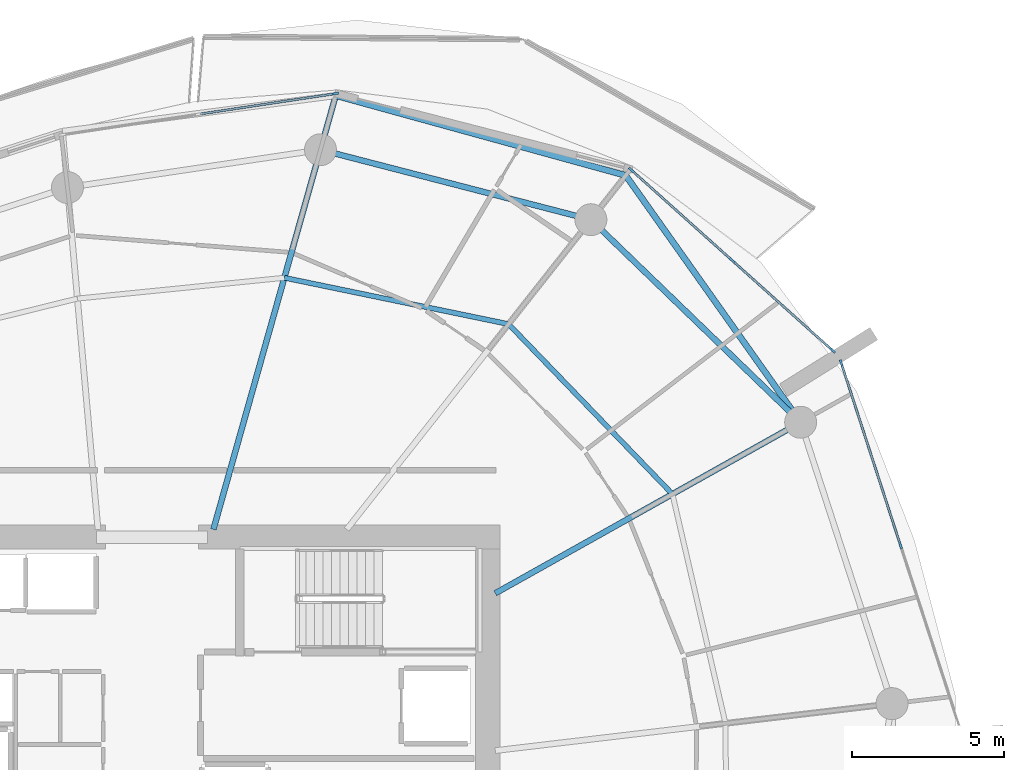
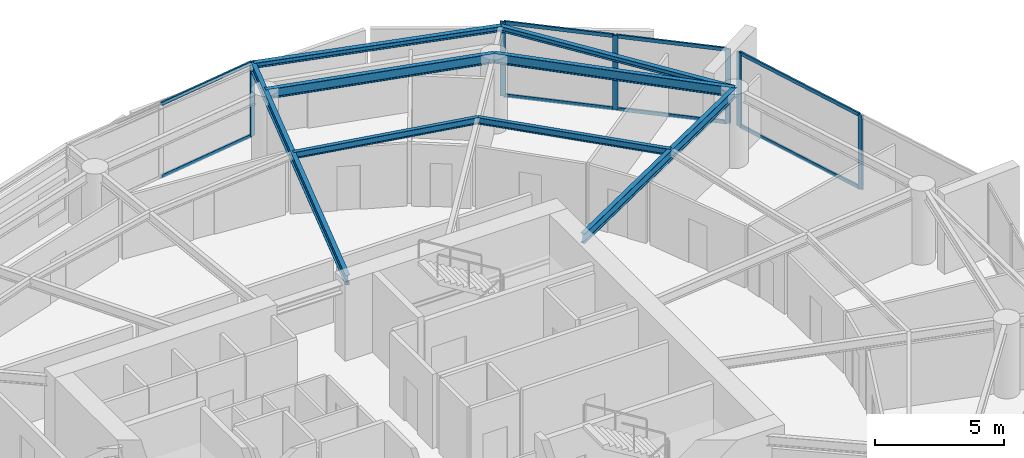
# One storey, part 9 of 20: 14 members, 8 beams, 3 elements without a shape of their own.
"""IFC4 building model written with IfcOpenShell, lengths in metres."""

from ifc_helpers import new_model, si_unit, direction, frame, origin, origin_2d, place, context, subcontext, project, spatial, rectangle, i_section, extrude, material, layer, layer_set, material_profile, profile_set, type_object, element, aggregate, save


model = new_model("IFC4")

# Units and contexts
model_context = context("Model", 3, precision=1e-05, world=origin(), true_north=direction((0.0, 1.0)))
body_context = subcontext(model_context, "Body", "Model", "MODEL_VIEW")
ifc_project = project(units=[si_unit("LENGTHUNIT", "METRE"), si_unit("AREAUNIT", "SQUARE_METRE"), si_unit("VOLUMEUNIT", "CUBIC_METRE"), si_unit("PLANEANGLEUNIT", "RADIAN"), si_unit("MASSUNIT", "GRAM", prefix="KILO")], contexts=[model_context])

# Site, building, storey
site_placement = place(None, origin())
site = spatial("IfcSite", under=ifc_project, at=site_placement, CompositionType="ELEMENT")
building_placement = place(site_placement, origin())
building = spatial("IfcBuilding", under=site, at=building_placement, Name="Kazma Halo Residences", CompositionType="ELEMENT")
storey_placement = place(building_placement, frame((0.0, 0.0, 135.300048828125)))
storey = spatial("IfcBuildingStorey", under=building, at=storey_placement, Name="L33", CompositionType="ELEMENT", Elevation=135.300048828125)

# Beams
ifc_material_1 = material(Name="Steel S355", Category="steel")
ifc_material_profile_1 = material_profile(ifc_material_1, i_section(OverallWidth=0.201904296875, OverallDepth=0.2470703125, WebThickness=0.00732421875, FlangeThickness=0.010986328125, FilletRadius=0.011962890625, at=origin_2d()), Name="W250x49.1")
ifc_profile_set_1 = profile_set([ifc_material_profile_1], Name="Steel S355")
beam_type_1 = type_object("IfcBeamType", Name="BM-BAL-CANT", PredefinedType="BEAM", material=ifc_profile_set_1)
beam_1_placement = place(storey_placement, frame((69.730224609375, 54.16943359375, 3.37646484375), z_axis=(-0.578203432081, 0.81589263456, 0.0), x_axis=(-0.81589263456, -0.578203432081, 0.0)))
element("IfcBeam", 1, at=beam_1_placement, inside=storey, type_object=beam_type_1, Name="L33 wave-balcony lead tie beam 01", PredefinedType="BEAM", context=body_context, shape_type="SweptSolid", body=[
    extrude(i_section(OverallWidth=0.201904296875, OverallDepth=0.2470703125, WebThickness=0.00732421875, FlangeThickness=0.010986328125, FilletRadius=0.011962890625, at=origin_2d()), origin(), (0.0, 0.0, 1.0), 9.9365234375),
])
beam_2_placement = place(storey_placement, frame((63.98486328125, 62.276611328125, 3.37646484375), z_axis=(-0.964045237638, 0.265738179019, 0.0), x_axis=(-0.265738179019, -0.964045237638, 0.0)))
element("IfcBeam", 2, at=beam_2_placement, inside=storey, type_object=beam_type_1, Name="L33 wave-balcony tie beam 02", PredefinedType="BEAM", context=body_context, shape_type="SweptSolid", body=[
    extrude(i_section(OverallWidth=0.201904296875, OverallDepth=0.2470703125, WebThickness=0.00732421875, FlangeThickness=0.010986328125, FilletRadius=0.011962890625, at=origin_2d()), origin(), (0.0, 0.0, 1.0), 9.880859375),
])
ifc_material_profile_2 = material_profile(ifc_material_1, i_section(OverallWidth=0.18994140625, OverallDepth=0.45703125, WebThickness=0.009033203125, FlangeThickness=0.014404296875, FilletRadius=0.01611328125, at=origin_2d()), Name="W460x74")
ifc_profile_set_2 = profile_set([ifc_material_profile_2], Name="Steel S355")
beam_type_2 = type_object("IfcBeamType", Name="BM-RAD-W460", PredefinedType="BEAM", material=ifc_profile_set_2)
beam_3_placement = place(storey_placement, frame((59.699951171875, 48.55224609375, 3.271484375), z_axis=(0.872497324456, 0.488618889132, 0.0), x_axis=(-0.488618889132, 0.872497324456, 0.0)))
element("IfcBeam", 3, at=beam_3_placement, inside=storey, type_object=beam_type_2, Name="L33 radial floor beam 01", PredefinedType="BEAM", context=body_context, shape_type="SweptSolid", body=[
    extrude(i_section(OverallWidth=0.18994140625, OverallDepth=0.45703125, WebThickness=0.009033203125, FlangeThickness=0.014404296875, FilletRadius=0.01611328125, at=origin_2d()), origin(), (0.0, 0.0, 1.0), 11.49609375),
])
beam_4_placement = place(storey_placement, frame((50.439697265625, 50.64990234375, 3.271484375), z_axis=(0.271435886816, 0.962456523355, 0.0), x_axis=(-0.962456523355, 0.271435886816, 0.0)))
element("IfcBeam", 4, at=beam_4_placement, inside=storey, type_object=beam_type_2, Name="L33 radial floor beam 03", PredefinedType="BEAM", context=body_context, shape_type="SweptSolid", body=[
    extrude(i_section(OverallWidth=0.18994140625, OverallDepth=0.45703125, WebThickness=0.009033203125, FlangeThickness=0.014404296875, FilletRadius=0.01611328125, at=origin_2d()), origin(), (0.0, 0.0, 1.0), 14.808349609375),
])
ifc_material_profile_3 = material_profile(ifc_material_1, i_section(OverallWidth=0.1650390625, OverallDepth=0.31005859375, WebThickness=0.005859375, FlangeThickness=0.009765625, FilletRadius=0.011962890625, at=origin_2d()), Name="W310x38.7")
ifc_profile_set_3 = profile_set([ifc_material_profile_3], Name="Steel S355")
beam_type_3 = type_object("IfcBeamType", Name="BM-SEC-W310B", PredefinedType="JOIST", material=ifc_profile_set_3)
beam_5_placement = place(storey_placement, frame((65.517578125, 51.810302734375, 3.344970703125), z_axis=(-0.694049338985, 0.719927437354, 0.0), x_axis=(-0.719927437354, -0.694049338985, 0.0)))
element("IfcBeam", 5, at=beam_5_placement, inside=storey, type_object=beam_type_3, Name="L33 circumferential floor joist 01", PredefinedType="JOIST", context=body_context, shape_type="SweptSolid", body=[
    extrude(i_section(OverallWidth=0.1650390625, OverallDepth=0.31005859375, WebThickness=0.005859375, FlangeThickness=0.009765625, FilletRadius=0.011962890625, at=origin_2d()), origin(), (0.0, 0.0, 1.0), 7.7548828125),
])
beam_6_placement = place(storey_placement, frame((60.13525390625, 57.393310546875, 3.344970703125), z_axis=(-0.979272189631, 0.202548706773, 0.0), x_axis=(-0.202548706773, -0.979272189631, 0.0)))
element("IfcBeam", 6, at=beam_6_placement, inside=storey, type_object=beam_type_3, Name="L33 circumferential floor joist 02", PredefinedType="JOIST", context=body_context, shape_type="SweptSolid", body=[
    extrude(i_section(OverallWidth=0.1650390625, OverallDepth=0.31005859375, WebThickness=0.005859375, FlangeThickness=0.009765625, FilletRadius=0.011962890625, at=origin_2d()), origin(), (0.0, 0.0, 1.0), 7.52001953125),
])
ifc_material_profile_4 = material_profile(ifc_material_1, i_section(OverallWidth=0.18994140625, OverallDepth=0.45703125, WebThickness=0.009033203125, FlangeThickness=0.014404296875, FilletRadius=0.01611328125, at=origin_2d()), Name="W460x74")
ifc_profile_set_4 = profile_set([ifc_material_profile_4], Name="Steel S355")
beam_type_4 = type_object("IfcBeamType", Name="BM-SPN-W460", PredefinedType="BEAM", material=ifc_profile_set_4)
beam_7_placement = place(storey_placement, frame((69.730224609375, 54.16943359375, 3.271484375), z_axis=(-0.719334705845, 0.694663645923, 0.0), x_axis=(-0.694663645923, -0.719334705845, 0.0)))
element("IfcBeam", 7, at=beam_7_placement, inside=storey, type_object=beam_type_4, Name="L33 perimeter ring beam 01", PredefinedType="BEAM", context=body_context, shape_type="SweptSolid", body=[
    extrude(i_section(OverallWidth=0.18994140625, OverallDepth=0.45703125, WebThickness=0.009033203125, FlangeThickness=0.014404296875, FilletRadius=0.01611328125, at=origin_2d()), origin(), (0.0, 0.0, 1.0), 9.5791015625),
])
beam_8_placement = place(storey_placement, frame((62.839599609375, 60.82373046875, 3.271484375), z_axis=(-0.968123664213, 0.250472694699, 0.0), x_axis=(-0.250472694699, -0.968123664213, 0.0)))
element("IfcBeam", 8, at=beam_8_placement, inside=storey, type_object=beam_type_4, Name="L33 perimeter ring beam 02", PredefinedType="BEAM", context=body_context, shape_type="SweptSolid", body=[
    extrude(i_section(OverallWidth=0.18994140625, OverallDepth=0.45703125, WebThickness=0.009033203125, FlangeThickness=0.014404296875, FilletRadius=0.01611328125, at=origin_2d()), origin(), (0.0, 0.0, 1.0), 9.175048828125),
])

# Curtain wall, members
ifc_material_2 = material(Name="Aluminium AW-6063 T6 and Triple-Silver Low-E Glass", Category="aluminium")
ifc_layer = layer(ifc_material_2, 0.219970703125)
ifc_layer_set = layer_set([ifc_layer], Name="Aluminium AW-6063 T6 and Triple-Silver Low-E Glass")
curtain_wall_type = type_object("IfcCurtainWallType", Name="CW-SYS-4", PredefinedType="NOTDEFINED", material=ifc_layer_set)
curtain_wall_1_placement = place(storey_placement, origin())
curtain_wall_1 = element("IfcCurtainWall", 9, at=curtain_wall_1_placement, inside=storey, type_object=curtain_wall_type, Name="L33 unitised curtain wall B01", PredefinedType="NOTDEFINED")
ifc_material_3 = material(Name="Aluminium AW-6063 T6", Category="aluminium")
ifc_material_profile_5 = material_profile(ifc_material_3, rectangle(XDim=0.074951171875, YDim=0.219970703125, at=origin_2d()), Name="CWM-75x220")
ifc_profile_set_5 = profile_set([ifc_material_profile_5], Name="Aluminium AW-6063 T6")
member_type_1 = type_object("IfcMemberType", Name="CW-SYS-4-MUL", PredefinedType="MULLION", material=ifc_profile_set_5)
member_1_placement = place(storey_placement, frame((70.778564453125, 56.5263671875, 0.0), z_axis=(0.0, 0.0, 1.0), x_axis=(-0.667770096247, -0.744367582957, 0.0)))
member_1 = element("IfcMember", 10, at=member_1_placement, type_object=member_type_1, Name="CWS-4 mullion 1", PredefinedType="MULLION", context=body_context, shape_type="SweptSolid", body=[
    extrude(rectangle(XDim=0.074951171875, YDim=0.219970703125, at=origin_2d()), origin(), (0.0, 0.0, 1.0), 3.5),
])
member_2_placement = place(storey_placement, frame((67.47509765625, 59.48974609375, 0.0), z_axis=(0.0, 0.0, 1.0), x_axis=(-0.667770096247, -0.744367582957, 0.0)))
member_2 = element("IfcMember", 11, at=member_2_placement, type_object=member_type_1, Name="CWS-4 mullion 2", PredefinedType="MULLION", context=body_context, shape_type="SweptSolid", body=[
    extrude(rectangle(XDim=0.074951171875, YDim=0.219970703125, at=origin_2d()), origin(), (0.0, 0.0, 1.0), 3.5),
])
member_3_placement = place(storey_placement, frame((64.171630859375, 62.453369140625, 0.0), z_axis=(0.0, 0.0, 1.0), x_axis=(-0.667770096247, -0.744367582957, 0.0)))
member_3 = element("IfcMember", 12, at=member_3_placement, type_object=member_type_1, Name="CWS-4 mullion 3", PredefinedType="MULLION", context=body_context, shape_type="SweptSolid", body=[
    extrude(rectangle(XDim=0.074951171875, YDim=0.219970703125, at=origin_2d()), origin(), (0.0, 0.0, 1.0), 3.5),
])

# Curtain wall, member
curtain_wall_2_placement = place(storey_placement, origin())
curtain_wall_2 = element("IfcCurtainWall", 13, at=curtain_wall_2_placement, inside=storey, type_object=curtain_wall_type, Name="L33 unitised curtain wall B03", PredefinedType="NOTDEFINED")
member_4_placement = place(storey_placement, frame((54.440673828125, 64.962890625, 0.0), z_axis=(0.0, 0.0, 1.0), x_axis=(0.148821022686, -0.988864148004, 0.0)))
member_4 = element("IfcMember", 14, at=member_4_placement, type_object=member_type_1, Name="CWS-4 mullion 1", PredefinedType="MULLION", context=body_context, shape_type="SweptSolid", body=[
    extrude(rectangle(XDim=0.074951171875, YDim=0.219970703125, at=origin_2d()), origin(), (0.0, 0.0, 1.0), 3.5),
])

# Curtain wall, members
curtain_wall_3_placement = place(storey_placement, origin())
curtain_wall_3 = element("IfcCurtainWall", 15, at=curtain_wall_3_placement, inside=storey, type_object=curtain_wall_type, Name="L33 unitised curtain wall B16", PredefinedType="NOTDEFINED")
member_5_placement = place(storey_placement, frame((73.009033203125, 50.1259765625, 0.0), z_axis=(0.0, 0.0, 1.0), x_axis=(-0.951057547609, -0.3090138203, 0.0)))
member_5 = element("IfcMember", 16, at=member_5_placement, type_object=member_type_1, Name="CWS-4 mullion 2", PredefinedType="MULLION", context=body_context, shape_type="SweptSolid", body=[
    extrude(rectangle(XDim=0.074951171875, YDim=0.219970703125, at=origin_2d()), origin(), (0.0, 0.0, 1.0), 3.5),
])
member_6_placement = place(storey_placement, frame((71.062255859375, 56.117431640625, 0.0), z_axis=(0.0, 0.0, 1.0), x_axis=(-0.951057547609, -0.3090138203, 0.0)))
member_6 = element("IfcMember", 17, at=member_6_placement, type_object=member_type_1, Name="CWS-4 mullion 3", PredefinedType="MULLION", context=body_context, shape_type="SweptSolid", body=[
    extrude(rectangle(XDim=0.074951171875, YDim=0.219970703125, at=origin_2d()), origin(), (0.0, 0.0, 1.0), 3.5),
])

# Member
ifc_material_profile_6 = material_profile(ifc_material_3, rectangle(XDim=0.074951171875, YDim=0.1650390625, at=origin_2d()), Name="CWT-75x165")
ifc_profile_set_6 = profile_set([ifc_material_profile_6], Name="Aluminium AW-6063 T6")
member_type_2 = type_object("IfcMemberType", Name="CW-SYS-4-TRN", PredefinedType="USERDEFINED", material=ifc_profile_set_6)
member_7_placement = place(storey_placement, frame((70.75048828125, 56.55126953125, 0.037353515625), z_axis=(-0.744344978888, 0.66779529229, 0.0), x_axis=(-0.66779529229, -0.744344978888, 0.0)))
member_7 = element("IfcMember", 18, at=member_7_placement, type_object=member_type_2, Name="CWS-4 transom 1.1", ObjectType="TRANSOM", PredefinedType="USERDEFINED", context=body_context, shape_type="SweptSolid", body=[
    extrude(rectangle(XDim=0.074951171875, YDim=0.1650390625, at=origin_2d()), origin(), (0.0, 0.0, 1.0), 4.363037109375),
])

member_8_placement = place(storey_placement, frame((70.75048828125, 56.55126953125, 3.46240234375), z_axis=(-0.744344978888, 0.66779529229, 0.0), x_axis=(-0.66779529229, -0.744344978888, 0.0)))
member_8 = element("IfcMember", 19, at=member_8_placement, type_object=member_type_2, Name="CWS-4 transom 1.2", ObjectType="TRANSOM", PredefinedType="USERDEFINED", context=body_context, shape_type="SweptSolid", body=[
    extrude(rectangle(XDim=0.074951171875, YDim=0.1650390625, at=origin_2d()), origin(), (0.0, 0.0, 1.0), 4.363037109375),
])

member_9_placement = place(storey_placement, frame((67.447265625, 59.514892578125, 0.037353515625), z_axis=(-0.744372794017, 0.667764287401, 0.0), x_axis=(-0.667764287401, -0.744372794017, 0.0)))
member_9 = element("IfcMember", 20, at=member_9_placement, type_object=member_type_2, Name="CWS-4 transom 2.1", ObjectType="TRANSOM", PredefinedType="USERDEFINED", context=body_context, shape_type="SweptSolid", body=[
    extrude(rectangle(XDim=0.074951171875, YDim=0.1650390625, at=origin_2d()), origin(), (0.0, 0.0, 1.0), 4.36279296875),
])

member_10_placement = place(storey_placement, frame((67.447265625, 59.514892578125, 3.46240234375), z_axis=(-0.744372794017, 0.667764287401, 0.0), x_axis=(-0.667764287401, -0.744372794017, 0.0)))
member_10 = element("IfcMember", 21, at=member_10_placement, type_object=member_type_2, Name="CWS-4 transom 2.2", ObjectType="TRANSOM", PredefinedType="USERDEFINED", context=body_context, shape_type="SweptSolid", body=[
    extrude(rectangle(XDim=0.074951171875, YDim=0.1650390625, at=origin_2d()), origin(), (0.0, 0.0, 1.0), 4.36279296875),
])

aggregate(curtain_wall_1, [member_1, member_2, member_3, member_7, member_8, member_9, member_10])

member_11_placement = place(storey_placement, frame((54.403564453125, 64.957275390625, 0.037353515625), z_axis=(-0.988866721231, -0.148803923478, 0.0), x_axis=(0.148803923478, -0.988866721231, 0.0)))
member_11 = element("IfcMember", 22, at=member_11_placement, type_object=member_type_2, Name="CWS-4 transom 1.1", ObjectType="TRANSOM", PredefinedType="USERDEFINED", context=body_context, shape_type="SweptSolid", body=[
    extrude(rectangle(XDim=0.074951171875, YDim=0.1650390625, at=origin_2d()), origin(), (0.0, 0.0, 1.0), 4.4560546875),
])

member_12_placement = place(storey_placement, frame((54.403564453125, 64.957275390625, 3.46240234375), z_axis=(-0.988866721231, -0.148803923478, 0.0), x_axis=(0.148803923478, -0.988866721231, 0.0)))
member_12 = element("IfcMember", 23, at=member_12_placement, type_object=member_type_2, Name="CWS-4 transom 1.2", ObjectType="TRANSOM", PredefinedType="USERDEFINED", context=body_context, shape_type="SweptSolid", body=[
    extrude(rectangle(XDim=0.074951171875, YDim=0.1650390625, at=origin_2d()), origin(), (0.0, 0.0, 1.0), 4.4560546875),
])

aggregate(curtain_wall_2, [member_4, member_11, member_12])

member_13_placement = place(storey_placement, frame((72.99755859375, 50.16162109375, 0.037353515625), z_axis=(-0.309017784977, 0.951056259413, 0.0), x_axis=(-0.951056259413, -0.309017784977, 0.0)))
member_13 = element("IfcMember", 24, at=member_13_placement, type_object=member_type_2, Name="CWS-4 transom 2.1", ObjectType="TRANSOM", PredefinedType="USERDEFINED", context=body_context, shape_type="SweptSolid", body=[
    extrude(rectangle(XDim=0.074951171875, YDim=0.1650390625, at=origin_2d()), origin(), (0.0, 0.0, 1.0), 6.224853515625),
])

member_14_placement = place(storey_placement, frame((72.99755859375, 50.16162109375, 3.46240234375), z_axis=(-0.309017784977, 0.951056259413, 0.0), x_axis=(-0.951056259413, -0.309017784977, 0.0)))
member_14 = element("IfcMember", 25, at=member_14_placement, type_object=member_type_2, Name="CWS-4 transom 2.2", ObjectType="TRANSOM", PredefinedType="USERDEFINED", context=body_context, shape_type="SweptSolid", body=[
    extrude(rectangle(XDim=0.074951171875, YDim=0.1650390625, at=origin_2d()), origin(), (0.0, 0.0, 1.0), 6.224853515625),
])

aggregate(curtain_wall_3, [member_5, member_6, member_13, member_14])

save(model, "model.ifc")
